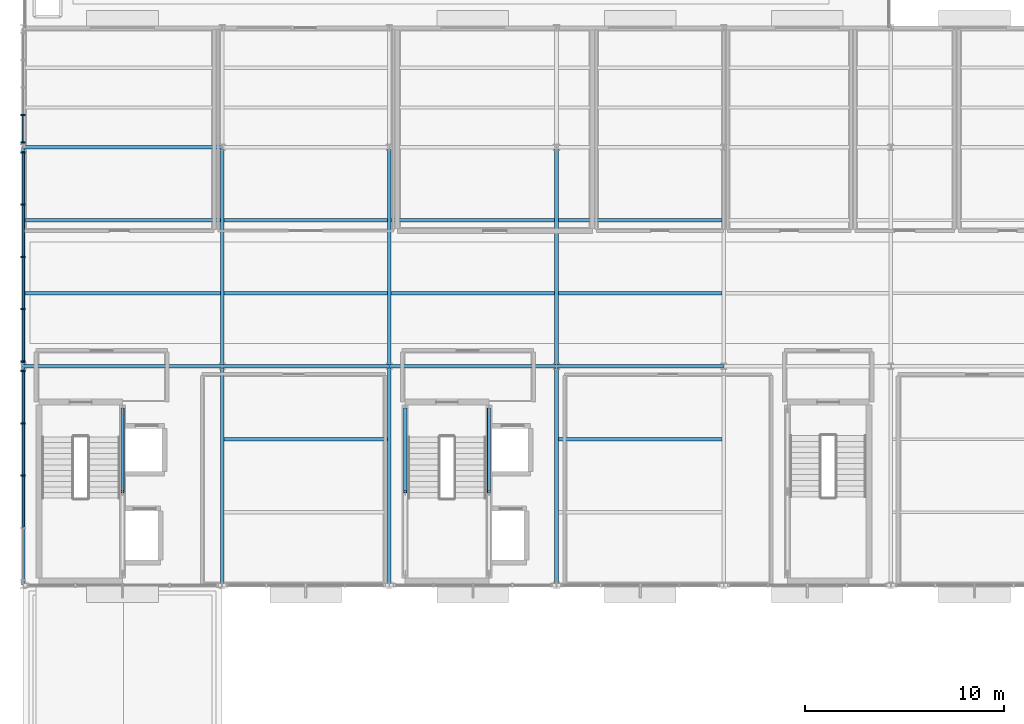
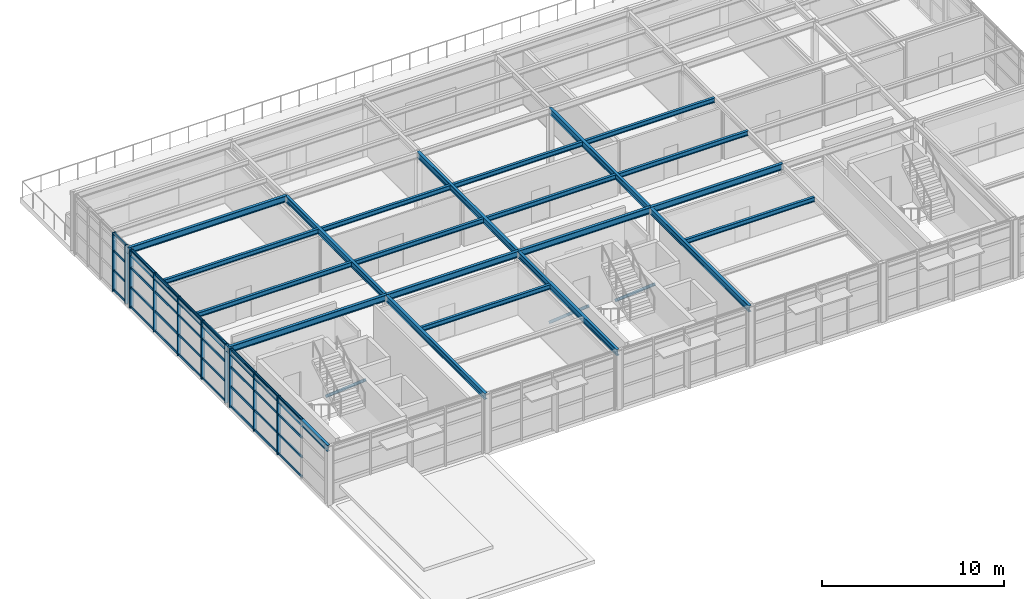
# One storey, part 8 of 21: 45 members, 23 beams, 3 elements without a shape of their own.
"""IFC4 building model written with IfcOpenShell, lengths in metres."""

from ifc_helpers import new_model, si_unit, direction, frame, origin, origin_2d, place, context, subcontext, project, spatial, rectangle, hollow_rectangle, i_section, extrude, material, layer, layer_set, material_profile, profile_set, type_object, element, aggregate, save


model = new_model("IFC4")

# Units and contexts
model_context = context("Model", 3, precision=1e-05, world=origin(), true_north=direction((0.0, 1.0)))
body_context = subcontext(model_context, "Body", "Model", "MODEL_VIEW")
ifc_project = project(units=[si_unit("LENGTHUNIT", "METRE"), si_unit("AREAUNIT", "SQUARE_METRE"), si_unit("VOLUMEUNIT", "CUBIC_METRE"), si_unit("PLANEANGLEUNIT", "RADIAN"), si_unit("MASSUNIT", "GRAM", prefix="KILO")], contexts=[model_context])

# Site, building, storey
site_placement = place(None, origin())
site = spatial("IfcSite", under=ifc_project, at=site_placement, CompositionType="ELEMENT")
building_placement = place(site_placement, origin())
building = spatial("IfcBuilding", under=site, at=building_placement, Name="Sitalva Quay Ferry Terminal", CompositionType="ELEMENT")
storey_placement = place(building_placement, frame((0.0, 0.0, 14.39990234375)))
storey = spatial("IfcBuildingStorey", under=building, at=storey_placement, Name="L04", CompositionType="ELEMENT", Elevation=14.39990234375)

# Beams
ifc_material_1 = material(Name="Structural Steel S355JR", Category="steel")
ifc_material_profile_1 = material_profile(ifc_material_1, i_section(OverallWidth=0.178955078125, OverallDepth=0.409912109375, WebThickness=0.0087890625, FlangeThickness=0.014404296875, FilletRadius=0.012939453125, at=origin_2d()), Name="W410x67")
ifc_profile_set_1 = profile_set([ifc_material_profile_1], Name="Structural Steel S355JR")
beam_type_1 = type_object("IfcBeamType", Name="Beam_W410x67", PredefinedType="BEAM", material=ifc_profile_set_1)
for number, where, z_axis, x_axis, name in (
    (1, (74.0, 78.0, 3.7451171875), (0.0, 1.0, 0.0), (-1.0, 0.0, 0.0), "L04 Primary Y girder 1345"),
    (2, (74.0, 89.0, 3.7451171875), (0.0, 1.0, 0.0), (-1.0, 0.0, 0.0), "L04 Primary Y girder 1346"),
    (3, (84.0, 78.0, 3.7451171875), (0.0, 1.0, 0.0), (-1.0, 0.0, 0.0), "L04 Primary Y girder 1348"),
    (4, (84.0, 89.0, 3.7451171875), (0.0, 1.0, 0.0), (-1.0, 0.0, 0.0), "L04 Primary Y girder 1349"),
    (5, (92.39990234375, 78.0, 3.7451171875), (0.0, 1.0, 0.0), (-1.0, 0.0, 0.0), "L04 Primary Y girder 1351"),
    (6, (92.39990234375, 89.0, 3.7451171875), (0.0, 1.0, 0.0), (-1.0, 0.0, 0.0), "L04 Primary Y girder 1352"),
    (7, (100.800048828125, 78.0, 3.7451171875), (0.0, 1.0, 0.0), (-1.0, 0.0, 0.0), "L04 Primary Y girder 1354"),
    (8, (100.800048828125, 89.0, 3.7451171875), (0.0, 1.0, 0.0), (-1.0, 0.0, 0.0), "L04 Primary Y girder 1355"),
):
    element("IfcBeam", number, at=place(storey_placement, frame(where, z_axis=z_axis, x_axis=x_axis)), inside=storey, type_object=beam_type_1, Name=name, PredefinedType="BEAM", context=body_context, shape_type="SweptSolid", body=[
        extrude(i_section(OverallWidth=0.178955078125, OverallDepth=0.409912109375, WebThickness=0.0087890625, FlangeThickness=0.014404296875, FilletRadius=0.012939453125, at=origin_2d()), origin(), (0.0, 0.0, 1.0), 11.0),
    ])
ifc_material_2 = material(Name="Structural Steel S355JR", Category="steel")
ifc_material_profile_2 = material_profile(ifc_material_2, i_section(OverallWidth=0.180908203125, OverallDepth=0.4169921875, WebThickness=0.010986328125, FlangeThickness=0.018310546875, FilletRadius=0.012939453125, at=origin_2d()), Name="W410x85")
ifc_profile_set_2 = profile_set([ifc_material_profile_2], Name="Structural Steel S355JR")
beam_type_2 = type_object("IfcBeamType", Name="Beam_W410x85", PredefinedType="BEAM", material=ifc_profile_set_2)
beam_1_placement = place(storey_placement, frame((74.0, 89.0, 3.74169921875), z_axis=(1.0, 0.0, 0.0), x_axis=(0.0, 1.0, 0.0)))
element("IfcBeam", 9, at=beam_1_placement, inside=storey, type_object=beam_type_2, Name="L04 Primary X girder 1330", PredefinedType="BEAM", context=body_context, shape_type="SweptSolid", body=[
    extrude(i_section(OverallWidth=0.180908203125, OverallDepth=0.4169921875, WebThickness=0.010986328125, FlangeThickness=0.018310546875, FilletRadius=0.012939453125, at=origin_2d()), origin(), (0.0, 0.0, 1.0), 10.0),
])
beam_2_placement = place(storey_placement, frame((84.0, 89.0, 3.74169921875), z_axis=(1.0, 0.0, 0.0), x_axis=(0.0, 1.0, 0.0)))
element("IfcBeam", 10, at=beam_2_placement, inside=storey, type_object=beam_type_2, Name="L04 Primary X girder 1331", PredefinedType="BEAM", context=body_context, shape_type="SweptSolid", body=[
    extrude(i_section(OverallWidth=0.180908203125, OverallDepth=0.4169921875, WebThickness=0.010986328125, FlangeThickness=0.018310546875, FilletRadius=0.012939453125, at=origin_2d()), origin(), (0.0, 0.0, 1.0), 8.39990234375),
])
beam_3_placement = place(storey_placement, frame((92.39990234375, 89.0, 3.74169921875), z_axis=(1.0, 0.0, 0.0), x_axis=(0.0, 1.0, 0.0)))
element("IfcBeam", 11, at=beam_3_placement, inside=storey, type_object=beam_type_2, Name="L04 Primary X girder 1332", PredefinedType="BEAM", context=body_context, shape_type="SweptSolid", body=[
    extrude(i_section(OverallWidth=0.180908203125, OverallDepth=0.4169921875, WebThickness=0.010986328125, FlangeThickness=0.018310546875, FilletRadius=0.012939453125, at=origin_2d()), origin(), (0.0, 0.0, 1.0), 8.400146484375),
])
beam_4_placement = place(storey_placement, frame((100.800048828125, 89.0, 3.74169921875), z_axis=(1.0, 0.0, 0.0), x_axis=(0.0, 1.0, 0.0)))
element("IfcBeam", 12, at=beam_4_placement, inside=storey, type_object=beam_type_2, Name="L04 Primary X girder 1333", PredefinedType="BEAM", context=body_context, shape_type="SweptSolid", body=[
    extrude(i_section(OverallWidth=0.180908203125, OverallDepth=0.4169921875, WebThickness=0.010986328125, FlangeThickness=0.018310546875, FilletRadius=0.012939453125, at=origin_2d()), origin(), (0.0, 0.0, 1.0), 8.39990234375),
])
beam_5_placement = place(storey_placement, frame((74.0, 100.0, 3.74169921875), z_axis=(1.0, 0.0, 0.0), x_axis=(0.0, 1.0, 0.0)))
element("IfcBeam", 13, at=beam_5_placement, inside=storey, type_object=beam_type_2, Name="L04 Primary X girder 1335", PredefinedType="BEAM", context=body_context, shape_type="SweptSolid", body=[
    extrude(i_section(OverallWidth=0.180908203125, OverallDepth=0.4169921875, WebThickness=0.010986328125, FlangeThickness=0.018310546875, FilletRadius=0.012939453125, at=origin_2d()), origin(), (0.0, 0.0, 1.0), 10.0),
])

# Members
ifc_material_3 = material(Name="Structural Steel S355JR", Category="steel")
ifc_material_profile_3 = material_profile(ifc_material_3, hollow_rectangle(XDim=0.179931640625, YDim=0.179931640625, WallThickness=0.010009765625, InnerFilletRadius=0.010009765625, OuterFilletRadius=0.02001953125, at=origin_2d()), Name="SHS180x180x10")
ifc_profile_set_3 = profile_set([ifc_material_profile_3], Name="Structural Steel S355JR")
member_type_1 = type_object("IfcMemberType", Name="Brace_SHS180x10", PredefinedType="BRACE", material=ifc_profile_set_3)
for number, where, z_axis, x_axis, name in (
    (14, (79.0, 82.699951171875, 3.72998046875), (0.0, 0.757218501508, -0.653161649957), (-1.0, 0.0, 0.0), "Braced frame BF2 L04 chevron B"),
    (15, (97.39990234375, 82.699951171875, 3.72998046875), (0.0, 0.757218501508, -0.653161649957), (-1.0, 0.0, 0.0), "Braced frame BF3 L04 chevron B"),
    (16, (93.199951171875, 82.699951171875, 3.72998046875), (0.0, 0.757218501508, -0.653161649957), (-1.0, 0.0, 0.0), "Braced frame BF6 L04 chevron B"),
):
    element("IfcMember", number, at=place(storey_placement, frame(where, z_axis=z_axis, x_axis=x_axis)), inside=storey, type_object=member_type_1, Name=name, PredefinedType="BRACE", context=body_context, shape_type="SweptSolid", body=[
        extrude(hollow_rectangle(XDim=0.179931640625, YDim=0.179931640625, WallThickness=0.010009765625, InnerFilletRadius=0.010009765625, OuterFilletRadius=0.02001953125, at=origin_2d()), origin(), (0.0, 0.0, 1.0), 5.480712890625),
    ])

# Beams
ifc_material_4 = material(Name="Structural Steel S355JR", Category="steel")
ifc_material_profile_4 = material_profile(ifc_material_4, i_section(OverallWidth=0.166015625, OverallDepth=0.31298828125, WebThickness=0.006591796875, FlangeThickness=0.01123046875, FilletRadius=0.010986328125, at=origin_2d()), Name="W310x45")
ifc_profile_set_4 = profile_set([ifc_material_profile_4], Name="Structural Steel S355JR")
beam_type_3 = type_object("IfcBeamType", Name="Joist_W310x45", PredefinedType="JOIST", material=ifc_profile_set_4)
beam_6_placement = place(storey_placement, frame((84.089599609375, 85.333251953125, 3.793701171875), z_axis=(1.0, 0.0, 0.0), x_axis=(0.0, 1.0, 0.0)))
element("IfcBeam", 17, at=beam_6_placement, inside=storey, type_object=beam_type_3, Name="L04 Secondary joist 1365", PredefinedType="JOIST", context=body_context, shape_type="SweptSolid", body=[
    extrude(i_section(OverallWidth=0.166015625, OverallDepth=0.31298828125, WebThickness=0.006591796875, FlangeThickness=0.01123046875, FilletRadius=0.010986328125, at=origin_2d()), origin(), (0.0, 0.0, 1.0), 8.220947265625),
])
beam_7_placement = place(storey_placement, frame((100.889404296875, 85.333251953125, 3.793701171875), z_axis=(1.0, 0.0, 0.0), x_axis=(0.0, 1.0, 0.0)))
element("IfcBeam", 18, at=beam_7_placement, inside=storey, type_object=beam_type_3, Name="L04 Secondary joist 1366", PredefinedType="JOIST", context=body_context, shape_type="SweptSolid", body=[
    extrude(i_section(OverallWidth=0.166015625, OverallDepth=0.31298828125, WebThickness=0.006591796875, FlangeThickness=0.01123046875, FilletRadius=0.010986328125, at=origin_2d()), origin(), (0.0, 0.0, 1.0), 8.22119140625),
])
beam_8_placement = place(storey_placement, frame((74.089599609375, 92.666748046875, 3.793701171875), z_axis=(1.0, 0.0, 0.0), x_axis=(0.0, 1.0, 0.0)))
element("IfcBeam", 19, at=beam_8_placement, inside=storey, type_object=beam_type_3, Name="L04 Secondary joist 1367", PredefinedType="JOIST", context=body_context, shape_type="SweptSolid", body=[
    extrude(i_section(OverallWidth=0.166015625, OverallDepth=0.31298828125, WebThickness=0.006591796875, FlangeThickness=0.01123046875, FilletRadius=0.010986328125, at=origin_2d()), origin(), (0.0, 0.0, 1.0), 9.82080078125),
])
for number, where, z_axis, x_axis, name in (
    (20, (84.089599609375, 92.666748046875, 3.793701171875), (1.0, 0.0, 0.0), (0.0, 1.0, 0.0), "L04 Secondary joist 1368"),
    (21, (92.489501953125, 92.666748046875, 3.793701171875), (1.0, 0.0, 0.0), (0.0, 1.0, 0.0), "L04 Secondary joist 1369"),
):
    element("IfcBeam", number, at=place(storey_placement, frame(where, z_axis=z_axis, x_axis=x_axis)), inside=storey, type_object=beam_type_3, Name=name, PredefinedType="JOIST", context=body_context, shape_type="SweptSolid", body=[
        extrude(i_section(OverallWidth=0.166015625, OverallDepth=0.31298828125, WebThickness=0.006591796875, FlangeThickness=0.01123046875, FilletRadius=0.010986328125, at=origin_2d()), origin(), (0.0, 0.0, 1.0), 8.220947265625),
    ])
beam_9_placement = place(storey_placement, frame((100.889404296875, 92.666748046875, 3.793701171875), z_axis=(1.0, 0.0, 0.0), x_axis=(0.0, 1.0, 0.0)))
element("IfcBeam", 22, at=beam_9_placement, inside=storey, type_object=beam_type_3, Name="L04 Secondary joist 1370", PredefinedType="JOIST", context=body_context, shape_type="SweptSolid", body=[
    extrude(i_section(OverallWidth=0.166015625, OverallDepth=0.31298828125, WebThickness=0.006591796875, FlangeThickness=0.01123046875, FilletRadius=0.010986328125, at=origin_2d()), origin(), (0.0, 0.0, 1.0), 8.22119140625),
])
beam_10_placement = place(storey_placement, frame((74.089599609375, 96.333251953125, 3.793701171875), z_axis=(1.0, 0.0, 0.0), x_axis=(0.0, 1.0, 0.0)))
element("IfcBeam", 23, at=beam_10_placement, inside=storey, type_object=beam_type_3, Name="L04 Secondary joist 1372", PredefinedType="JOIST", context=body_context, shape_type="SweptSolid", body=[
    extrude(i_section(OverallWidth=0.166015625, OverallDepth=0.31298828125, WebThickness=0.006591796875, FlangeThickness=0.01123046875, FilletRadius=0.010986328125, at=origin_2d()), origin(), (0.0, 0.0, 1.0), 9.82080078125),
])
for number, where, z_axis, x_axis, name in (
    (24, (84.089599609375, 96.333251953125, 3.793701171875), (1.0, 0.0, 0.0), (0.0, 1.0, 0.0), "L04 Secondary joist 1373"),
    (25, (92.489501953125, 96.333251953125, 3.793701171875), (1.0, 0.0, 0.0), (0.0, 1.0, 0.0), "L04 Secondary joist 1374"),
):
    element("IfcBeam", number, at=place(storey_placement, frame(where, z_axis=z_axis, x_axis=x_axis)), inside=storey, type_object=beam_type_3, Name=name, PredefinedType="JOIST", context=body_context, shape_type="SweptSolid", body=[
        extrude(i_section(OverallWidth=0.166015625, OverallDepth=0.31298828125, WebThickness=0.006591796875, FlangeThickness=0.01123046875, FilletRadius=0.010986328125, at=origin_2d()), origin(), (0.0, 0.0, 1.0), 8.220947265625),
    ])
beam_11_placement = place(storey_placement, frame((100.889404296875, 96.333251953125, 3.793701171875), z_axis=(1.0, 0.0, 0.0), x_axis=(0.0, 1.0, 0.0)))
element("IfcBeam", 26, at=beam_11_placement, inside=storey, type_object=beam_type_3, Name="L04 Secondary joist 1375", PredefinedType="JOIST", context=body_context, shape_type="SweptSolid", body=[
    extrude(i_section(OverallWidth=0.166015625, OverallDepth=0.31298828125, WebThickness=0.006591796875, FlangeThickness=0.01123046875, FilletRadius=0.010986328125, at=origin_2d()), origin(), (0.0, 0.0, 1.0), 8.22119140625),
])

# Curtain wall, members
ifc_material_5 = material(Name="Anodised Aluminium & Low-E Glazing", Category="aluminium")
ifc_layer = layer(ifc_material_5, 0.159912109375)
ifc_layer_set = layer_set([ifc_layer], Name="Anodised Aluminium & Low-E Glazing")
curtain_wall_type = type_object("IfcCurtainWallType", Name="CW_Office_Unitised", PredefinedType="USERDEFINED", material=ifc_layer_set)
curtain_wall_1_placement = place(storey_placement, origin())
curtain_wall_1 = element("IfcCurtainWall", 27, at=curtain_wall_1_placement, inside=storey, type_object=curtain_wall_type, Name="L04 pilotage west glazing (CW-L04-137)", ObjectType="CURTAIN_WALL", PredefinedType="USERDEFINED")
ifc_material_6 = material(Name="Anodised Aluminium 6063-T6", Category="aluminium")
ifc_material_profile_5 = material_profile(ifc_material_6, rectangle(XDim=0.074951171875, YDim=0.219970703125, at=origin_2d()), Name="ALU75x220")
ifc_profile_set_5 = profile_set([ifc_material_profile_5], Name="Anodised Aluminium 6063-T6")
member_type_2 = type_object("IfcMemberType", Name="Mullion_Alu_75x160", PredefinedType="MULLION", material=ifc_profile_set_5)
member_1_placement = place(storey_placement, frame((74.0, 83.5, 0.0), z_axis=(0.0, 0.0, 1.0), x_axis=(0.0, 1.0, 0.0)))
member_1 = element("IfcMember", 28, at=member_1_placement, type_object=member_type_2, Name="CW-L04-137-M2", PredefinedType="MULLION", context=body_context, shape_type="SweptSolid", body=[
    extrude(rectangle(XDim=0.074951171875, YDim=0.219970703125, at=origin_2d()), origin(), (0.0, 0.0, 1.0), 3.9501953125),
])
member_2_placement = place(storey_placement, frame((74.0, 86.125, 0.0), z_axis=(0.0, 0.0, 1.0), x_axis=(0.0, 1.0, 0.0)))
member_2 = element("IfcMember", 29, at=member_2_placement, type_object=member_type_2, Name="CW-L04-137-M3", PredefinedType="MULLION", context=body_context, shape_type="SweptSolid", body=[
    extrude(rectangle(XDim=0.074951171875, YDim=0.219970703125, at=origin_2d()), origin(), (0.0, 0.0, 1.0), 3.9501953125),
])
member_3_placement = place(storey_placement, frame((74.0, 88.75, 0.0), z_axis=(0.0, 0.0, 1.0), x_axis=(0.0, 1.0, 0.0)))
member_3 = element("IfcMember", 30, at=member_3_placement, type_object=member_type_2, Name="CW-L04-137-M4", PredefinedType="MULLION", context=body_context, shape_type="SweptSolid", body=[
    extrude(rectangle(XDim=0.074951171875, YDim=0.219970703125, at=origin_2d()), origin(), (0.0, 0.0, 1.0), 3.9501953125),
])

curtain_wall_2_placement = place(storey_placement, origin())
curtain_wall_2 = element("IfcCurtainWall", 31, at=curtain_wall_2_placement, inside=storey, type_object=curtain_wall_type, Name="L04 pilotage west glazing (CW-L04-139)", ObjectType="CURTAIN_WALL", PredefinedType="USERDEFINED")
member_4_placement = place(storey_placement, frame((74.0, 89.25, 0.0), z_axis=(0.0, 0.0, 1.0), x_axis=(0.0, 1.0, 0.0)))
member_4 = element("IfcMember", 32, at=member_4_placement, type_object=member_type_2, Name="CW-L04-139-M0", PredefinedType="MULLION", context=body_context, shape_type="SweptSolid", body=[
    extrude(rectangle(XDim=0.074951171875, YDim=0.219970703125, at=origin_2d()), origin(), (0.0, 0.0, 1.0), 3.9501953125),
])
member_5_placement = place(storey_placement, frame((74.0, 91.875, 0.0), z_axis=(0.0, 0.0, 1.0), x_axis=(0.0, 1.0, 0.0)))
member_5 = element("IfcMember", 33, at=member_5_placement, type_object=member_type_2, Name="CW-L04-139-M1", PredefinedType="MULLION", context=body_context, shape_type="SweptSolid", body=[
    extrude(rectangle(XDim=0.074951171875, YDim=0.219970703125, at=origin_2d()), origin(), (0.0, 0.0, 1.0), 3.9501953125),
])
member_6_placement = place(storey_placement, frame((74.0, 94.5, 0.0), z_axis=(0.0, 0.0, 1.0), x_axis=(0.0, 1.0, 0.0)))
member_6 = element("IfcMember", 34, at=member_6_placement, type_object=member_type_2, Name="CW-L04-139-M2", PredefinedType="MULLION", context=body_context, shape_type="SweptSolid", body=[
    extrude(rectangle(XDim=0.074951171875, YDim=0.219970703125, at=origin_2d()), origin(), (0.0, 0.0, 1.0), 3.9501953125),
])
member_7_placement = place(storey_placement, frame((74.0, 97.125, 0.0), z_axis=(0.0, 0.0, 1.0), x_axis=(0.0, 1.0, 0.0)))
member_7 = element("IfcMember", 35, at=member_7_placement, type_object=member_type_2, Name="CW-L04-139-M3", PredefinedType="MULLION", context=body_context, shape_type="SweptSolid", body=[
    extrude(rectangle(XDim=0.074951171875, YDim=0.219970703125, at=origin_2d()), origin(), (0.0, 0.0, 1.0), 3.9501953125),
])
member_8_placement = place(storey_placement, frame((74.0, 99.75, 0.0), z_axis=(0.0, 0.0, 1.0), x_axis=(0.0, 1.0, 0.0)))
member_8 = element("IfcMember", 36, at=member_8_placement, type_object=member_type_2, Name="CW-L04-139-M4", PredefinedType="MULLION", context=body_context, shape_type="SweptSolid", body=[
    extrude(rectangle(XDim=0.074951171875, YDim=0.219970703125, at=origin_2d()), origin(), (0.0, 0.0, 1.0), 3.9501953125),
])

curtain_wall_3_placement = place(storey_placement, origin())
curtain_wall_3 = element("IfcCurtainWall", 37, at=curtain_wall_3_placement, inside=storey, type_object=curtain_wall_type, Name="L04 pilotage west glazing (CW-L04-141)", ObjectType="CURTAIN_WALL", PredefinedType="USERDEFINED")
member_9_placement = place(storey_placement, frame((74.0, 100.25, 0.0), z_axis=(0.0, 0.0, 1.0), x_axis=(0.0, 1.0, 0.0)))
member_9 = element("IfcMember", 38, at=member_9_placement, type_object=member_type_2, Name="CW-L04-141-M0", PredefinedType="MULLION", context=body_context, shape_type="SweptSolid", body=[
    extrude(rectangle(XDim=0.074951171875, YDim=0.219970703125, at=origin_2d()), origin(), (0.0, 0.0, 1.0), 3.9501953125),
])
member_10_placement = place(storey_placement, frame((74.0, 101.625, 0.0), z_axis=(0.0, 0.0, 1.0), x_axis=(0.0, 1.0, 0.0)))
member_10 = element("IfcMember", 39, at=member_10_placement, type_object=member_type_2, Name="CW-L04-141-M1", PredefinedType="MULLION", context=body_context, shape_type="SweptSolid", body=[
    extrude(rectangle(XDim=0.074951171875, YDim=0.219970703125, at=origin_2d()), origin(), (0.0, 0.0, 1.0), 3.9501953125),
])

# Member
ifc_material_7 = material(Name="Anodised Aluminium 6063-T6", Category="aluminium")
ifc_material_profile_6 = material_profile(ifc_material_7, rectangle(XDim=0.074951171875, YDim=0.14990234375, at=origin_2d()), Name="ALU75x150")
ifc_profile_set_6 = profile_set([ifc_material_profile_6], Name="Anodised Aluminium 6063-T6")
member_type_3 = type_object("IfcMemberType", Name="Transom_Alu_75x140", PredefinedType="MULLION", material=ifc_profile_set_6)
member_11_placement = place(storey_placement, frame((74.0, 80.91259765625, 0.0751953125), z_axis=(0.0, 1.0, 0.0), x_axis=(-1.0, 0.0, 0.0)))
member_11 = element("IfcMember", 40, at=member_11_placement, type_object=member_type_3, Name="CW-L04-137-T1-0", ObjectType="TRANSOM", PredefinedType="USERDEFINED", context=body_context, shape_type="SweptSolid", body=[
    extrude(rectangle(XDim=0.074951171875, YDim=0.14990234375, at=origin_2d()), origin(), (0.0, 0.0, 1.0), 2.5498046875),
])

member_12_placement = place(storey_placement, frame((74.0, 80.91259765625, 1.391845703125), z_axis=(0.0, 1.0, 0.0), x_axis=(-1.0, 0.0, 0.0)))
member_12 = element("IfcMember", 41, at=member_12_placement, type_object=member_type_3, Name="CW-L04-137-T1-1", ObjectType="TRANSOM", PredefinedType="USERDEFINED", context=body_context, shape_type="SweptSolid", body=[
    extrude(rectangle(XDim=0.074951171875, YDim=0.14990234375, at=origin_2d()), origin(), (0.0, 0.0, 1.0), 2.5498046875),
])

member_13_placement = place(storey_placement, frame((74.0, 80.91259765625, 2.70849609375), z_axis=(0.0, 1.0, 0.0), x_axis=(-1.0, 0.0, 0.0)))
member_13 = element("IfcMember", 42, at=member_13_placement, type_object=member_type_3, Name="CW-L04-137-T1-2", ObjectType="TRANSOM", PredefinedType="USERDEFINED", context=body_context, shape_type="SweptSolid", body=[
    extrude(rectangle(XDim=0.074951171875, YDim=0.14990234375, at=origin_2d()), origin(), (0.0, 0.0, 1.0), 2.5498046875),
])

member_14_placement = place(storey_placement, frame((74.0, 80.91259765625, 3.875), z_axis=(0.0, 1.0, 0.0), x_axis=(-1.0, 0.0, 0.0)))
member_14 = element("IfcMember", 43, at=member_14_placement, type_object=member_type_3, Name="CW-L04-137-T1-3", ObjectType="TRANSOM", PredefinedType="USERDEFINED", context=body_context, shape_type="SweptSolid", body=[
    extrude(rectangle(XDim=0.074951171875, YDim=0.14990234375, at=origin_2d()), origin(), (0.0, 0.0, 1.0), 2.5498046875),
])

member_15_placement = place(storey_placement, frame((74.0, 83.53759765625, 0.0751953125), z_axis=(0.0, 1.0, 0.0), x_axis=(-1.0, 0.0, 0.0)))
member_15 = element("IfcMember", 44, at=member_15_placement, type_object=member_type_3, Name="CW-L04-137-T2-0", ObjectType="TRANSOM", PredefinedType="USERDEFINED", context=body_context, shape_type="SweptSolid", body=[
    extrude(rectangle(XDim=0.074951171875, YDim=0.14990234375, at=origin_2d()), origin(), (0.0, 0.0, 1.0), 2.5498046875),
])

member_16_placement = place(storey_placement, frame((74.0, 83.53759765625, 1.391845703125), z_axis=(0.0, 1.0, 0.0), x_axis=(-1.0, 0.0, 0.0)))
member_16 = element("IfcMember", 45, at=member_16_placement, type_object=member_type_3, Name="CW-L04-137-T2-1", ObjectType="TRANSOM", PredefinedType="USERDEFINED", context=body_context, shape_type="SweptSolid", body=[
    extrude(rectangle(XDim=0.074951171875, YDim=0.14990234375, at=origin_2d()), origin(), (0.0, 0.0, 1.0), 2.5498046875),
])

member_17_placement = place(storey_placement, frame((74.0, 83.53759765625, 2.70849609375), z_axis=(0.0, 1.0, 0.0), x_axis=(-1.0, 0.0, 0.0)))
member_17 = element("IfcMember", 46, at=member_17_placement, type_object=member_type_3, Name="CW-L04-137-T2-2", ObjectType="TRANSOM", PredefinedType="USERDEFINED", context=body_context, shape_type="SweptSolid", body=[
    extrude(rectangle(XDim=0.074951171875, YDim=0.14990234375, at=origin_2d()), origin(), (0.0, 0.0, 1.0), 2.5498046875),
])

member_18_placement = place(storey_placement, frame((74.0, 83.53759765625, 3.875), z_axis=(0.0, 1.0, 0.0), x_axis=(-1.0, 0.0, 0.0)))
member_18 = element("IfcMember", 47, at=member_18_placement, type_object=member_type_3, Name="CW-L04-137-T2-3", ObjectType="TRANSOM", PredefinedType="USERDEFINED", context=body_context, shape_type="SweptSolid", body=[
    extrude(rectangle(XDim=0.074951171875, YDim=0.14990234375, at=origin_2d()), origin(), (0.0, 0.0, 1.0), 2.5498046875),
])

member_19_placement = place(storey_placement, frame((74.0, 86.16259765625, 0.0751953125), z_axis=(0.0, 1.0, 0.0), x_axis=(-1.0, 0.0, 0.0)))
member_19 = element("IfcMember", 48, at=member_19_placement, type_object=member_type_3, Name="CW-L04-137-T3-0", ObjectType="TRANSOM", PredefinedType="USERDEFINED", context=body_context, shape_type="SweptSolid", body=[
    extrude(rectangle(XDim=0.074951171875, YDim=0.14990234375, at=origin_2d()), origin(), (0.0, 0.0, 1.0), 2.5498046875),
])

member_20_placement = place(storey_placement, frame((74.0, 86.16259765625, 1.391845703125), z_axis=(0.0, 1.0, 0.0), x_axis=(-1.0, 0.0, 0.0)))
member_20 = element("IfcMember", 49, at=member_20_placement, type_object=member_type_3, Name="CW-L04-137-T3-1", ObjectType="TRANSOM", PredefinedType="USERDEFINED", context=body_context, shape_type="SweptSolid", body=[
    extrude(rectangle(XDim=0.074951171875, YDim=0.14990234375, at=origin_2d()), origin(), (0.0, 0.0, 1.0), 2.5498046875),
])

member_21_placement = place(storey_placement, frame((74.0, 86.16259765625, 2.70849609375), z_axis=(0.0, 1.0, 0.0), x_axis=(-1.0, 0.0, 0.0)))
member_21 = element("IfcMember", 50, at=member_21_placement, type_object=member_type_3, Name="CW-L04-137-T3-2", ObjectType="TRANSOM", PredefinedType="USERDEFINED", context=body_context, shape_type="SweptSolid", body=[
    extrude(rectangle(XDim=0.074951171875, YDim=0.14990234375, at=origin_2d()), origin(), (0.0, 0.0, 1.0), 2.5498046875),
])

member_22_placement = place(storey_placement, frame((74.0, 86.16259765625, 3.875), z_axis=(0.0, 1.0, 0.0), x_axis=(-1.0, 0.0, 0.0)))
member_22 = element("IfcMember", 51, at=member_22_placement, type_object=member_type_3, Name="CW-L04-137-T3-3", ObjectType="TRANSOM", PredefinedType="USERDEFINED", context=body_context, shape_type="SweptSolid", body=[
    extrude(rectangle(XDim=0.074951171875, YDim=0.14990234375, at=origin_2d()), origin(), (0.0, 0.0, 1.0), 2.5498046875),
])

aggregate(curtain_wall_1, [member_1, member_2, member_3, member_11, member_12, member_13, member_14, member_15, member_16, member_17, member_18, member_19, member_20, member_21, member_22])

member_23_placement = place(storey_placement, frame((74.0, 89.28759765625, 0.0751953125), z_axis=(0.0, 1.0, 0.0), x_axis=(-1.0, 0.0, 0.0)))
member_23 = element("IfcMember", 52, at=member_23_placement, type_object=member_type_3, Name="CW-L04-139-T0-0", ObjectType="TRANSOM", PredefinedType="USERDEFINED", context=body_context, shape_type="SweptSolid", body=[
    extrude(rectangle(XDim=0.074951171875, YDim=0.14990234375, at=origin_2d()), origin(), (0.0, 0.0, 1.0), 2.5498046875),
])

member_24_placement = place(storey_placement, frame((74.0, 89.28759765625, 1.391845703125), z_axis=(0.0, 1.0, 0.0), x_axis=(-1.0, 0.0, 0.0)))
member_24 = element("IfcMember", 53, at=member_24_placement, type_object=member_type_3, Name="CW-L04-139-T0-1", ObjectType="TRANSOM", PredefinedType="USERDEFINED", context=body_context, shape_type="SweptSolid", body=[
    extrude(rectangle(XDim=0.074951171875, YDim=0.14990234375, at=origin_2d()), origin(), (0.0, 0.0, 1.0), 2.5498046875),
])

member_25_placement = place(storey_placement, frame((74.0, 89.28759765625, 2.70849609375), z_axis=(0.0, 1.0, 0.0), x_axis=(-1.0, 0.0, 0.0)))
member_25 = element("IfcMember", 54, at=member_25_placement, type_object=member_type_3, Name="CW-L04-139-T0-2", ObjectType="TRANSOM", PredefinedType="USERDEFINED", context=body_context, shape_type="SweptSolid", body=[
    extrude(rectangle(XDim=0.074951171875, YDim=0.14990234375, at=origin_2d()), origin(), (0.0, 0.0, 1.0), 2.5498046875),
])

member_26_placement = place(storey_placement, frame((74.0, 89.28759765625, 3.875), z_axis=(0.0, 1.0, 0.0), x_axis=(-1.0, 0.0, 0.0)))
member_26 = element("IfcMember", 55, at=member_26_placement, type_object=member_type_3, Name="CW-L04-139-T0-3", ObjectType="TRANSOM", PredefinedType="USERDEFINED", context=body_context, shape_type="SweptSolid", body=[
    extrude(rectangle(XDim=0.074951171875, YDim=0.14990234375, at=origin_2d()), origin(), (0.0, 0.0, 1.0), 2.5498046875),
])

member_27_placement = place(storey_placement, frame((74.0, 91.91259765625, 0.0751953125), z_axis=(0.0, 1.0, 0.0), x_axis=(-1.0, 0.0, 0.0)))
member_27 = element("IfcMember", 56, at=member_27_placement, type_object=member_type_3, Name="CW-L04-139-T1-0", ObjectType="TRANSOM", PredefinedType="USERDEFINED", context=body_context, shape_type="SweptSolid", body=[
    extrude(rectangle(XDim=0.074951171875, YDim=0.14990234375, at=origin_2d()), origin(), (0.0, 0.0, 1.0), 2.5498046875),
])

member_28_placement = place(storey_placement, frame((74.0, 91.91259765625, 1.391845703125), z_axis=(0.0, 1.0, 0.0), x_axis=(-1.0, 0.0, 0.0)))
member_28 = element("IfcMember", 57, at=member_28_placement, type_object=member_type_3, Name="CW-L04-139-T1-1", ObjectType="TRANSOM", PredefinedType="USERDEFINED", context=body_context, shape_type="SweptSolid", body=[
    extrude(rectangle(XDim=0.074951171875, YDim=0.14990234375, at=origin_2d()), origin(), (0.0, 0.0, 1.0), 2.5498046875),
])

member_29_placement = place(storey_placement, frame((74.0, 91.91259765625, 2.70849609375), z_axis=(0.0, 1.0, 0.0), x_axis=(-1.0, 0.0, 0.0)))
member_29 = element("IfcMember", 58, at=member_29_placement, type_object=member_type_3, Name="CW-L04-139-T1-2", ObjectType="TRANSOM", PredefinedType="USERDEFINED", context=body_context, shape_type="SweptSolid", body=[
    extrude(rectangle(XDim=0.074951171875, YDim=0.14990234375, at=origin_2d()), origin(), (0.0, 0.0, 1.0), 2.5498046875),
])

member_30_placement = place(storey_placement, frame((74.0, 91.91259765625, 3.875), z_axis=(0.0, 1.0, 0.0), x_axis=(-1.0, 0.0, 0.0)))
member_30 = element("IfcMember", 59, at=member_30_placement, type_object=member_type_3, Name="CW-L04-139-T1-3", ObjectType="TRANSOM", PredefinedType="USERDEFINED", context=body_context, shape_type="SweptSolid", body=[
    extrude(rectangle(XDim=0.074951171875, YDim=0.14990234375, at=origin_2d()), origin(), (0.0, 0.0, 1.0), 2.5498046875),
])

member_31_placement = place(storey_placement, frame((74.0, 94.53759765625, 0.0751953125), z_axis=(0.0, 1.0, 0.0), x_axis=(-1.0, 0.0, 0.0)))
member_31 = element("IfcMember", 60, at=member_31_placement, type_object=member_type_3, Name="CW-L04-139-T2-0", ObjectType="TRANSOM", PredefinedType="USERDEFINED", context=body_context, shape_type="SweptSolid", body=[
    extrude(rectangle(XDim=0.074951171875, YDim=0.14990234375, at=origin_2d()), origin(), (0.0, 0.0, 1.0), 2.5498046875),
])

member_32_placement = place(storey_placement, frame((74.0, 94.53759765625, 1.391845703125), z_axis=(0.0, 1.0, 0.0), x_axis=(-1.0, 0.0, 0.0)))
member_32 = element("IfcMember", 61, at=member_32_placement, type_object=member_type_3, Name="CW-L04-139-T2-1", ObjectType="TRANSOM", PredefinedType="USERDEFINED", context=body_context, shape_type="SweptSolid", body=[
    extrude(rectangle(XDim=0.074951171875, YDim=0.14990234375, at=origin_2d()), origin(), (0.0, 0.0, 1.0), 2.5498046875),
])

member_33_placement = place(storey_placement, frame((74.0, 94.53759765625, 2.70849609375), z_axis=(0.0, 1.0, 0.0), x_axis=(-1.0, 0.0, 0.0)))
member_33 = element("IfcMember", 62, at=member_33_placement, type_object=member_type_3, Name="CW-L04-139-T2-2", ObjectType="TRANSOM", PredefinedType="USERDEFINED", context=body_context, shape_type="SweptSolid", body=[
    extrude(rectangle(XDim=0.074951171875, YDim=0.14990234375, at=origin_2d()), origin(), (0.0, 0.0, 1.0), 2.5498046875),
])

member_34_placement = place(storey_placement, frame((74.0, 94.53759765625, 3.875), z_axis=(0.0, 1.0, 0.0), x_axis=(-1.0, 0.0, 0.0)))
member_34 = element("IfcMember", 63, at=member_34_placement, type_object=member_type_3, Name="CW-L04-139-T2-3", ObjectType="TRANSOM", PredefinedType="USERDEFINED", context=body_context, shape_type="SweptSolid", body=[
    extrude(rectangle(XDim=0.074951171875, YDim=0.14990234375, at=origin_2d()), origin(), (0.0, 0.0, 1.0), 2.5498046875),
])

member_35_placement = place(storey_placement, frame((74.0, 97.16259765625, 0.0751953125), z_axis=(0.0, 1.0, 0.0), x_axis=(-1.0, 0.0, 0.0)))
member_35 = element("IfcMember", 64, at=member_35_placement, type_object=member_type_3, Name="CW-L04-139-T3-0", ObjectType="TRANSOM", PredefinedType="USERDEFINED", context=body_context, shape_type="SweptSolid", body=[
    extrude(rectangle(XDim=0.074951171875, YDim=0.14990234375, at=origin_2d()), origin(), (0.0, 0.0, 1.0), 2.5498046875),
])

member_36_placement = place(storey_placement, frame((74.0, 97.16259765625, 1.391845703125), z_axis=(0.0, 1.0, 0.0), x_axis=(-1.0, 0.0, 0.0)))
member_36 = element("IfcMember", 65, at=member_36_placement, type_object=member_type_3, Name="CW-L04-139-T3-1", ObjectType="TRANSOM", PredefinedType="USERDEFINED", context=body_context, shape_type="SweptSolid", body=[
    extrude(rectangle(XDim=0.074951171875, YDim=0.14990234375, at=origin_2d()), origin(), (0.0, 0.0, 1.0), 2.5498046875),
])

member_37_placement = place(storey_placement, frame((74.0, 97.16259765625, 2.70849609375), z_axis=(0.0, 1.0, 0.0), x_axis=(-1.0, 0.0, 0.0)))
member_37 = element("IfcMember", 66, at=member_37_placement, type_object=member_type_3, Name="CW-L04-139-T3-2", ObjectType="TRANSOM", PredefinedType="USERDEFINED", context=body_context, shape_type="SweptSolid", body=[
    extrude(rectangle(XDim=0.074951171875, YDim=0.14990234375, at=origin_2d()), origin(), (0.0, 0.0, 1.0), 2.5498046875),
])

member_38_placement = place(storey_placement, frame((74.0, 97.16259765625, 3.875), z_axis=(0.0, 1.0, 0.0), x_axis=(-1.0, 0.0, 0.0)))
member_38 = element("IfcMember", 67, at=member_38_placement, type_object=member_type_3, Name="CW-L04-139-T3-3", ObjectType="TRANSOM", PredefinedType="USERDEFINED", context=body_context, shape_type="SweptSolid", body=[
    extrude(rectangle(XDim=0.074951171875, YDim=0.14990234375, at=origin_2d()), origin(), (0.0, 0.0, 1.0), 2.5498046875),
])

aggregate(curtain_wall_2, [member_4, member_5, member_6, member_7, member_8, member_23, member_24, member_25, member_26, member_27, member_28, member_29, member_30, member_31, member_32, member_33, member_34, member_35, member_36, member_37, member_38])

member_39_placement = place(storey_placement, frame((74.0, 100.28759765625, 0.0751953125), z_axis=(0.0, 1.0, 0.0), x_axis=(-1.0, 0.0, 0.0)))
member_39 = element("IfcMember", 68, at=member_39_placement, type_object=member_type_3, Name="CW-L04-141-T0-0", ObjectType="TRANSOM", PredefinedType="USERDEFINED", context=body_context, shape_type="SweptSolid", body=[
    extrude(rectangle(XDim=0.074951171875, YDim=0.14990234375, at=origin_2d()), origin(), (0.0, 0.0, 1.0), 1.2998046875),
])

member_40_placement = place(storey_placement, frame((74.0, 100.28759765625, 1.391845703125), z_axis=(0.0, 1.0, 0.0), x_axis=(-1.0, 0.0, 0.0)))
member_40 = element("IfcMember", 69, at=member_40_placement, type_object=member_type_3, Name="CW-L04-141-T0-1", ObjectType="TRANSOM", PredefinedType="USERDEFINED", context=body_context, shape_type="SweptSolid", body=[
    extrude(rectangle(XDim=0.074951171875, YDim=0.14990234375, at=origin_2d()), origin(), (0.0, 0.0, 1.0), 1.2998046875),
])

member_41_placement = place(storey_placement, frame((74.0, 100.28759765625, 2.70849609375), z_axis=(0.0, 1.0, 0.0), x_axis=(-1.0, 0.0, 0.0)))
member_41 = element("IfcMember", 70, at=member_41_placement, type_object=member_type_3, Name="CW-L04-141-T0-2", ObjectType="TRANSOM", PredefinedType="USERDEFINED", context=body_context, shape_type="SweptSolid", body=[
    extrude(rectangle(XDim=0.074951171875, YDim=0.14990234375, at=origin_2d()), origin(), (0.0, 0.0, 1.0), 1.2998046875),
])

member_42_placement = place(storey_placement, frame((74.0, 100.28759765625, 3.875), z_axis=(0.0, 1.0, 0.0), x_axis=(-1.0, 0.0, 0.0)))
member_42 = element("IfcMember", 71, at=member_42_placement, type_object=member_type_3, Name="CW-L04-141-T0-3", ObjectType="TRANSOM", PredefinedType="USERDEFINED", context=body_context, shape_type="SweptSolid", body=[
    extrude(rectangle(XDim=0.074951171875, YDim=0.14990234375, at=origin_2d()), origin(), (0.0, 0.0, 1.0), 1.2998046875),
])

aggregate(curtain_wall_3, [member_9, member_10, member_39, member_40, member_41, member_42])

save(model, "model.ifc")
